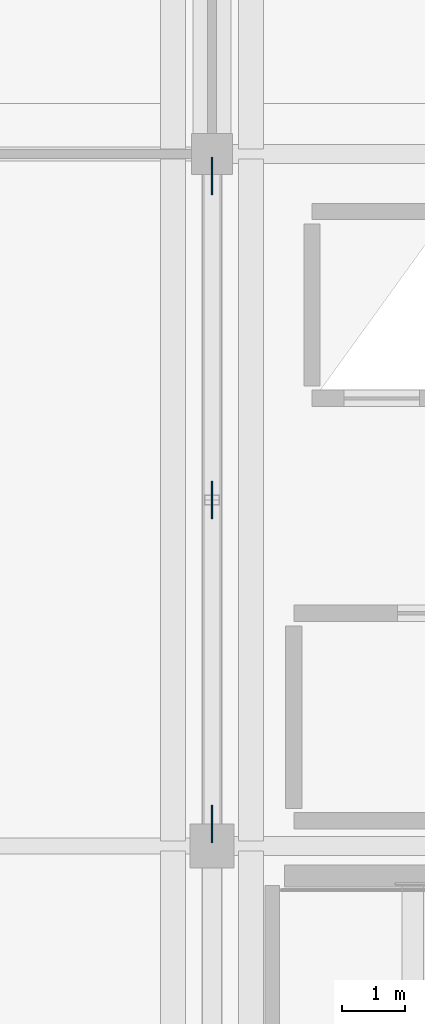
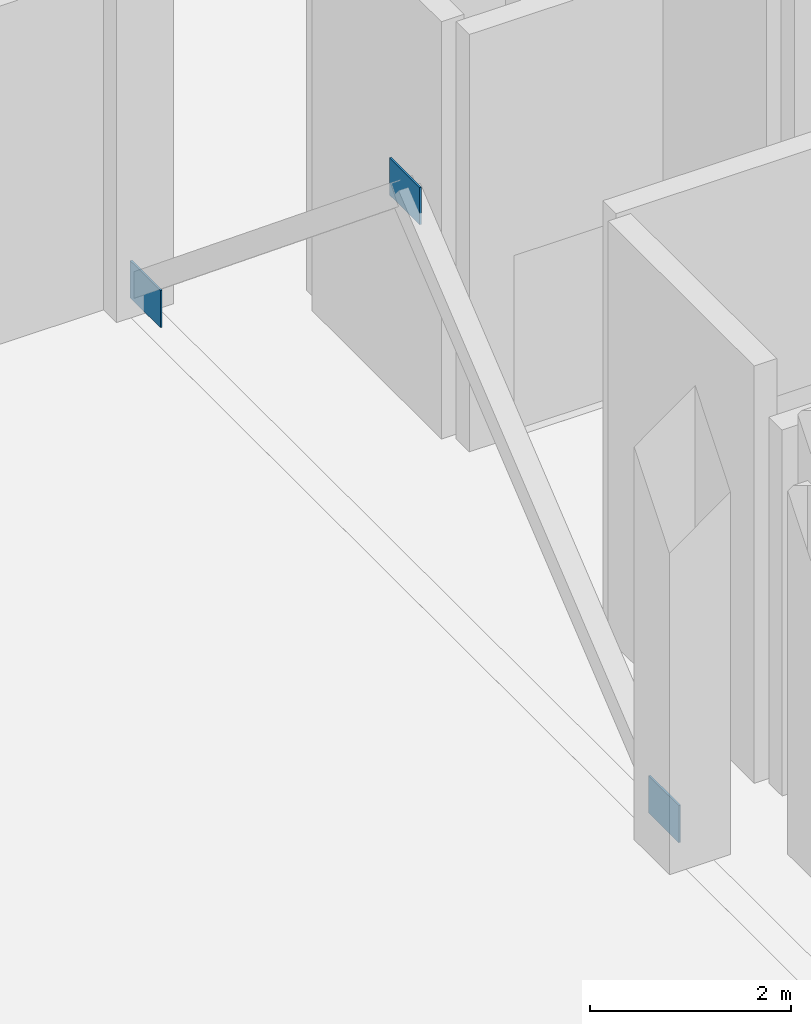
# One storey, part 51 of 120: 3 plates.
"""IFC4 building model written with IfcOpenShell, lengths in metres."""

from ifc_helpers import new_model, si_unit, direction, frame, origin, origin_2d, place, context, subcontext, project, spatial, rectangle, extrude, material, layer, layer_set, type_object, element, save


model = new_model("IFC4")

# Units and contexts
model_context = context("Model", 3, precision=1e-05, world=origin(), true_north=direction((0.0, 1.0)))
body_context = subcontext(model_context, "Body", "Model", "MODEL_VIEW")
ifc_project = project(units=[si_unit("LENGTHUNIT", "METRE"), si_unit("AREAUNIT", "SQUARE_METRE"), si_unit("VOLUMEUNIT", "CUBIC_METRE"), si_unit("PLANEANGLEUNIT", "RADIAN"), si_unit("MASSUNIT", "GRAM", prefix="KILO")], contexts=[model_context])

# Site, building, storey
site_placement = place(None, origin())
site = spatial("IfcSite", under=ifc_project, at=site_placement, CompositionType="ELEMENT")
building_placement = place(site_placement, origin())
building = spatial("IfcBuilding", under=site, at=building_placement, Name="Luwafu Chhajja Arena", CompositionType="ELEMENT")
storey_placement = place(building_placement, origin())
storey = spatial("IfcBuildingStorey", under=building, at=storey_placement, Name="L00", CompositionType="ELEMENT", Elevation=0.0)

# Plates
ifc_material = material(Name="Steel S355", Category="steel")
ifc_layer = layer(ifc_material, 0.02197265625, Name="Steel S355")
ifc_layer_set = layer_set([ifc_layer], Name="Steel S355")
plate_type = type_object("IfcPlateType", Name="Lateral Brace Gusset Plate BN-1", PredefinedType="USERDEFINED", material=ifc_layer_set)
for number, where, z_axis, x_axis, name in (
    (1, (34.0, 27.5, 4.39501953125), (0.0, 0.0, 1.0), (1.0, 0.0, 0.0), "L00 Chevron Apex Gusset Plate BN-1 02"),
    (2, (34.0, 22.35009765625, 0.02490234375), (0.0, 0.0, 1.0), (1.0, 0.0, 0.0), "L00 Brace Base Gusset BN-1 02A"),
    (3, (34.0, 32.64990234375, 0.02490234375), (0.0, 0.0, 1.0), (1.0, 0.0, 0.0), "L00 Brace Base Gusset BN-1 02B"),
):
    element("IfcPlate", number, at=place(storey_placement, frame(where, z_axis=z_axis, x_axis=x_axis)), inside=storey, type_object=plate_type, Name=name, ObjectType="GUSSET PLATE", PredefinedType="USERDEFINED", context=body_context, shape_type="SweptSolid", body=[
        extrude(rectangle(XDim=0.02197265625, YDim=0.60009765625, at=origin_2d()), origin(), (0.0, 0.0, 1.0), 0.449951171875),
    ])

save(model, "model.ifc")
